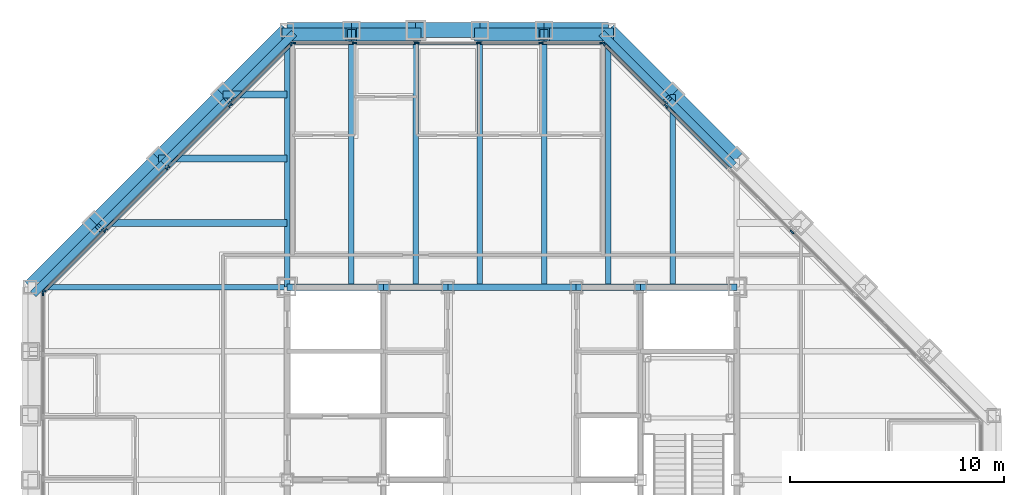
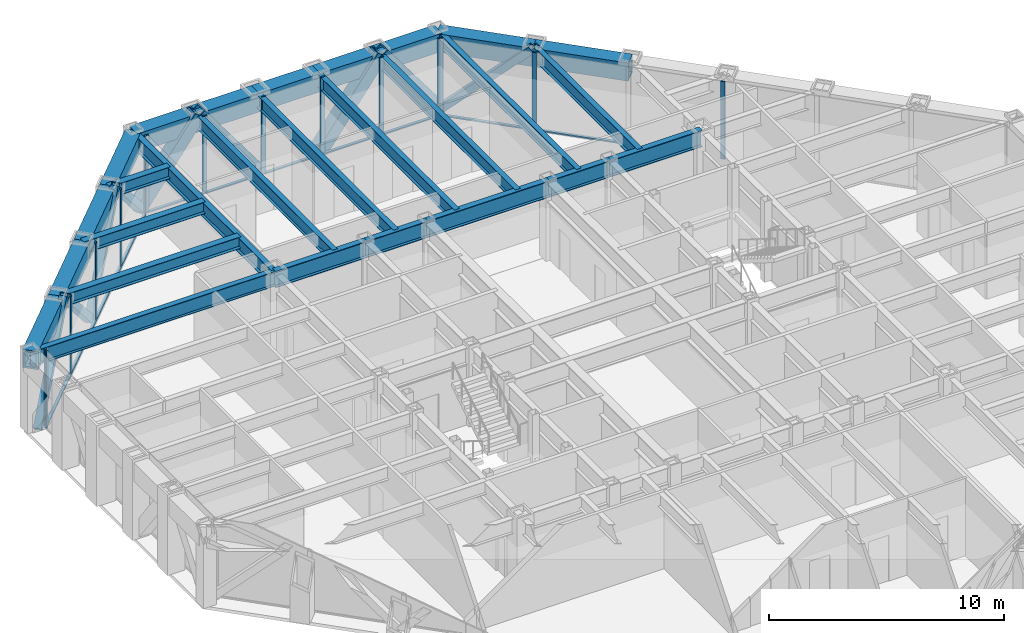
# One storey, part 8 of 16: 36 members, 27 beams, 4 elements without a shape of their own.
"""IFC4 building model written with IfcOpenShell, lengths in metres."""

from ifc_helpers import new_model, si_unit, direction, frame, origin, origin_2d, place, context, subcontext, project, spatial, rectangle, hollow_rectangle, i_section, extrude, material, layer, layer_set, material_profile, profile_set, type_object, element, aggregate, save


model = new_model("IFC4")

# Units and contexts
model_context = context("Model", 3, precision=1e-05, world=origin(), true_north=direction((0.0, 1.0)))
body_context = subcontext(model_context, "Body", "Model", "MODEL_VIEW")
ifc_project = project(units=[si_unit("LENGTHUNIT", "METRE"), si_unit("AREAUNIT", "SQUARE_METRE"), si_unit("VOLUMEUNIT", "CUBIC_METRE"), si_unit("PLANEANGLEUNIT", "RADIAN"), si_unit("MASSUNIT", "GRAM", prefix="KILO")], contexts=[model_context])

# Site, building, storey
site_placement = place(None, origin())
site = spatial("IfcSite", under=ifc_project, at=site_placement, CompositionType="ELEMENT")
building_placement = place(site_placement, origin())
building = spatial("IfcBuilding", under=site, at=building_placement, Name="Chuquiago Exchange Tower", CompositionType="ELEMENT")
storey_placement = place(building_placement, frame((0.0, 0.0, 243.300048828125)))
storey = spatial("IfcBuildingStorey", under=building, at=storey_placement, Name="L54", CompositionType="ELEMENT", Elevation=243.300048828125)

# Beams
ifc_material_1 = material(Name="Steel ASTM A992", Category="steel")
ifc_material_profile_1 = material_profile(ifc_material_1, i_section(OverallWidth=0.25390625, OverallDepth=0.683349609375, WebThickness=0.012451171875, FlangeThickness=0.018798828125, at=origin_2d()), Name="W27X94")
ifc_profile_set_1 = profile_set([ifc_material_profile_1], Name="Steel ASTM A992")
beam_type_1 = type_object("IfcBeamType", Name="B1 W27X94", PredefinedType="BEAM", material=ifc_profile_set_1)
for number, where, z_axis, x_axis, name in (
    (1, (15.0, 33.0, 3.6982421875), (0.0, 1.0, 0.0), (-1.0, 0.0, 0.0), "FB-L55-infill-15_33-15_45-0"),
    (2, (18.0, 33.0, 3.6982421875), (0.0, 1.0, 0.0), (-1.0, 0.0, 0.0), "FB-L55-infill-18_33-18_45-0"),
    (3, (21.0, 33.0, 3.6982421875), (0.0, 1.0, 0.0), (-1.0, 0.0, 0.0), "FB-L55-infill-21_33-21_45-0"),
    (4, (24.0, 33.0, 3.6982421875), (0.0, 1.0, 0.0), (-1.0, 0.0, 0.0), "FB-L55-infill-24_33-24_45-0"),
    (5, (27.0, 33.0, 3.6982421875), (0.0, 1.0, 0.0), (-1.0, 0.0, 0.0), "FB-L55-infill-27_33-27_45-0"),
):
    element("IfcBeam", number, at=place(storey_placement, frame(where, z_axis=z_axis, x_axis=x_axis)), inside=storey, type_object=beam_type_1, Name=name, PredefinedType="BEAM", context=body_context, shape_type="SweptSolid", body=[
        extrude(i_section(OverallWidth=0.25390625, OverallDepth=0.683349609375, WebThickness=0.012451171875, FlangeThickness=0.018798828125, at=origin_2d()), origin(), (0.0, 0.0, 1.0), 12.0),
    ])
beam_1_placement = place(storey_placement, frame((30.0, 33.0, 3.6982421875), z_axis=(0.0, 1.0, 0.0), x_axis=(-1.0, 0.0, 0.0)))
element("IfcBeam", 6, at=beam_1_placement, inside=storey, type_object=beam_type_1, Name="FB-L55-infill-30_33-30_42-0", PredefinedType="BEAM", context=body_context, shape_type="SweptSolid", body=[
    extrude(i_section(OverallWidth=0.25390625, OverallDepth=0.683349609375, WebThickness=0.012451171875, FlangeThickness=0.018798828125, at=origin_2d()), origin(), (0.0, 0.0, 1.0), 9.0),
])
ifc_material_2 = material(Name="Steel ASTM A992", Category="steel")
ifc_material_profile_2 = material_profile(ifc_material_2, i_section(OverallWidth=0.3251953125, OverallDepth=0.612060546875, WebThickness=0.0126953125, FlangeThickness=0.01904296875, at=origin_2d()), Name="W24X104")
ifc_profile_set_2 = profile_set([ifc_material_profile_2], Name="Steel ASTM A992")
beam_type_2 = type_object("IfcBeamType", Name="B2 W24X104", PredefinedType="BEAM", material=ifc_profile_set_2)
beam_2_placement = place(storey_placement, frame((12.0, 36.0, 3.73388671875), z_axis=(-1.0, 0.0, 0.0), x_axis=(0.0, -1.0, 0.0)))
element("IfcBeam", 7, at=beam_2_placement, inside=storey, type_object=beam_type_2, Name="FB-L55-corner-12_36-3_36-0", PredefinedType="BEAM", context=body_context, shape_type="SweptSolid", body=[
    extrude(i_section(OverallWidth=0.3251953125, OverallDepth=0.612060546875, WebThickness=0.0126953125, FlangeThickness=0.01904296875, at=origin_2d()), origin(), (0.0, 0.0, 1.0), 9.0),
])
beam_3_placement = place(storey_placement, frame((12.0, 39.0, 3.73388671875), z_axis=(-1.0, 0.0, 0.0), x_axis=(0.0, -1.0, 0.0)))
element("IfcBeam", 8, at=beam_3_placement, inside=storey, type_object=beam_type_2, Name="FB-L55-corner-12_39-6_39-0", PredefinedType="BEAM", context=body_context, shape_type="SweptSolid", body=[
    extrude(i_section(OverallWidth=0.3251953125, OverallDepth=0.612060546875, WebThickness=0.0126953125, FlangeThickness=0.01904296875, at=origin_2d()), origin(), (0.0, 0.0, 1.0), 6.0),
])
beam_4_placement = place(storey_placement, frame((12.0, 42.0, 3.73388671875), z_axis=(-1.0, 0.0, 0.0), x_axis=(0.0, -1.0, 0.0)))
element("IfcBeam", 9, at=beam_4_placement, inside=storey, type_object=beam_type_2, Name="FB-L55-corner-12_42-9_42-0", PredefinedType="BEAM", context=body_context, shape_type="SweptSolid", body=[
    extrude(i_section(OverallWidth=0.3251953125, OverallDepth=0.612060546875, WebThickness=0.0126953125, FlangeThickness=0.01904296875, at=origin_2d()), origin(), (0.0, 0.0, 1.0), 3.0),
])
ifc_material_3 = material(Name="Steel ASTM A992", Category="steel")
ifc_material_profile_3 = material_profile(ifc_material_3, i_section(OverallWidth=0.2919921875, OverallDepth=0.8583984375, WebThickness=0.01708984375, FlangeThickness=0.031005859375, at=origin_2d()), Name="W33X169")
ifc_profile_set_3 = profile_set([ifc_material_profile_3], Name="Steel ASTM A992")
beam_type_3 = type_object("IfcBeamType", Name="B3 W33X169", PredefinedType="BEAM", material=ifc_profile_set_3)
beam_5_placement = place(storey_placement, frame((12.0, 33.0, 3.610595703125), z_axis=(1.0, 0.0, 0.0), x_axis=(0.0, 1.0, 0.0)))
element("IfcBeam", 10, at=beam_5_placement, inside=storey, type_object=beam_type_3, Name="CB-L55-12_33-16.5_33", PredefinedType="BEAM", context=body_context, shape_type="SweptSolid", body=[
    extrude(i_section(OverallWidth=0.2919921875, OverallDepth=0.8583984375, WebThickness=0.01708984375, FlangeThickness=0.031005859375, at=origin_2d()), origin(), (0.0, 0.0, 1.0), 4.5),
])
beam_6_placement = place(storey_placement, frame((16.5, 33.0, 3.610595703125), z_axis=(1.0, 0.0, 0.0), x_axis=(0.0, 1.0, 0.0)))
element("IfcBeam", 11, at=beam_6_placement, inside=storey, type_object=beam_type_3, Name="CB-L55-16.5_33-19.5_33", PredefinedType="BEAM", context=body_context, shape_type="SweptSolid", body=[
    extrude(i_section(OverallWidth=0.2919921875, OverallDepth=0.8583984375, WebThickness=0.01708984375, FlangeThickness=0.031005859375, at=origin_2d()), origin(), (0.0, 0.0, 1.0), 3.0),
])
beam_7_placement = place(storey_placement, frame((19.5, 33.0, 3.610595703125), z_axis=(1.0, 0.0, 0.0), x_axis=(0.0, 1.0, 0.0)))
element("IfcBeam", 12, at=beam_7_placement, inside=storey, type_object=beam_type_3, Name="CB-L55-19.5_33-25.5_33", PredefinedType="BEAM", context=body_context, shape_type="SweptSolid", body=[
    extrude(i_section(OverallWidth=0.2919921875, OverallDepth=0.8583984375, WebThickness=0.01708984375, FlangeThickness=0.031005859375, at=origin_2d()), origin(), (0.0, 0.0, 1.0), 6.0),
])
beam_8_placement = place(storey_placement, frame((25.5, 33.0, 3.610595703125), z_axis=(1.0, 0.0, 0.0), x_axis=(0.0, 1.0, 0.0)))
element("IfcBeam", 13, at=beam_8_placement, inside=storey, type_object=beam_type_3, Name="CB-L55-25.5_33-28.5_33", PredefinedType="BEAM", context=body_context, shape_type="SweptSolid", body=[
    extrude(i_section(OverallWidth=0.2919921875, OverallDepth=0.8583984375, WebThickness=0.01708984375, FlangeThickness=0.031005859375, at=origin_2d()), origin(), (0.0, 0.0, 1.0), 3.0),
])
beam_9_placement = place(storey_placement, frame((28.5, 33.0, 3.610595703125), z_axis=(1.0, 0.0, 0.0), x_axis=(0.0, 1.0, 0.0)))
element("IfcBeam", 14, at=beam_9_placement, inside=storey, type_object=beam_type_3, Name="CB-L55-28.5_33-33_33", PredefinedType="BEAM", context=body_context, shape_type="SweptSolid", body=[
    extrude(i_section(OverallWidth=0.2919921875, OverallDepth=0.8583984375, WebThickness=0.01708984375, FlangeThickness=0.031005859375, at=origin_2d()), origin(), (0.0, 0.0, 1.0), 4.5),
])

# Curtain wall, members
ifc_material_4 = material(Name="Aluminium curtain wall system", Category="aluminium")
ifc_layer_1 = layer(ifc_material_4, 0.22509765625)
ifc_layer_set_1 = layer_set([ifc_layer_1], Name="CW2 office curtain wall")
curtain_wall_type_1 = type_object("IfcCurtainWallType", Name="CW2 office curtain wall", PredefinedType="NOTDEFINED", material=ifc_layer_set_1)
curtain_wall_1_placement = place(storey_placement, origin())
curtain_wall_1 = element("IfcCurtainWall", 15, at=curtain_wall_1_placement, inside=storey, type_object=curtain_wall_type_1, Name="CW2 curtain wall L54", PredefinedType="NOTDEFINED")
ifc_material_5 = material(Name="Aluminium mullion, pale anodised", Category="aluminium")
ifc_material_profile_4 = material_profile(ifc_material_5, rectangle(XDim=0.06494140625, YDim=0.22509765625, at=origin_2d()), Name="AL 65x225")
ifc_profile_set_4 = profile_set([ifc_material_profile_4], Name="Aluminium mullion, pale anodised")
member_type_1 = type_object("IfcMemberType", Name="CW2-M mullion 65x225", PredefinedType="MULLION", material=ifc_profile_set_4)
member_1_placement = place(storey_placement, frame((26.718994140625, 44.39990234375, 0.0), z_axis=(0.0, 0.0, 1.0), x_axis=(0.0, -1.0, 0.0)))
member_1 = element("IfcMember", 16, at=member_1_placement, type_object=member_type_1, Name="CW2 mullion 1", PredefinedType="MULLION", context=body_context, shape_type="SweptSolid", body=[
    extrude(rectangle(XDim=0.06494140625, YDim=0.22509765625, at=origin_2d()), origin(), (0.0, 0.0, 1.0), 4.0400390625),
])
member_2_placement = place(storey_placement, frame((23.850830078125, 44.39990234375, 0.0), z_axis=(0.0, 0.0, 1.0), x_axis=(0.0, -1.0, 0.0)))
member_2 = element("IfcMember", 17, at=member_2_placement, type_object=member_type_1, Name="CW2 mullion 2", PredefinedType="MULLION", context=body_context, shape_type="SweptSolid", body=[
    extrude(rectangle(XDim=0.06494140625, YDim=0.22509765625, at=origin_2d()), origin(), (0.0, 0.0, 1.0), 4.0400390625),
])
member_3_placement = place(storey_placement, frame((20.9501953125, 44.39990234375, 0.0), z_axis=(0.0, 0.0, 1.0), x_axis=(0.0, -1.0, 0.0)))
member_3 = element("IfcMember", 18, at=member_3_placement, type_object=member_type_1, Name="CW2 mullion 3", PredefinedType="MULLION", context=body_context, shape_type="SweptSolid", body=[
    extrude(rectangle(XDim=0.06494140625, YDim=0.22509765625, at=origin_2d()), origin(), (0.0, 0.0, 1.0), 4.0400390625),
])
member_4_placement = place(storey_placement, frame((18.0498046875, 44.39990234375, 0.0), z_axis=(0.0, 0.0, 1.0), x_axis=(0.0, -1.0, 0.0)))
member_4 = element("IfcMember", 19, at=member_4_placement, type_object=member_type_1, Name="CW2 mullion 4", PredefinedType="MULLION", context=body_context, shape_type="SweptSolid", body=[
    extrude(rectangle(XDim=0.06494140625, YDim=0.22509765625, at=origin_2d()), origin(), (0.0, 0.0, 1.0), 4.0400390625),
])
member_5_placement = place(storey_placement, frame((15.149169921875, 44.39990234375, 0.0), z_axis=(0.0, 0.0, 1.0), x_axis=(0.0, -1.0, 0.0)))
member_5 = element("IfcMember", 20, at=member_5_placement, type_object=member_type_1, Name="CW2 mullion 5", PredefinedType="MULLION", context=body_context, shape_type="SweptSolid", body=[
    extrude(rectangle(XDim=0.06494140625, YDim=0.22509765625, at=origin_2d()), origin(), (0.0, 0.0, 1.0), 4.0400390625),
])
member_6_placement = place(storey_placement, frame((12.281005859375, 44.39990234375, 0.0), z_axis=(0.0, 0.0, 1.0), x_axis=(0.0, -1.0, 0.0)))
member_6 = element("IfcMember", 21, at=member_6_placement, type_object=member_type_1, Name="CW2 mullion 6", PredefinedType="MULLION", context=body_context, shape_type="SweptSolid", body=[
    extrude(rectangle(XDim=0.06494140625, YDim=0.22509765625, at=origin_2d()), origin(), (0.0, 0.0, 1.0), 4.0400390625),
])

# Curtain wall, member
curtain_wall_2_placement = place(storey_placement, origin())
curtain_wall_2 = element("IfcCurtainWall", 22, at=curtain_wall_2_placement, inside=storey, type_object=curtain_wall_type_1, Name="CW2 curtain wall L54", PredefinedType="NOTDEFINED")
member_7_placement = place(storey_placement, frame((0.60009765625, 32.718994140625, 0.0), z_axis=(0.0, 0.0, 1.0), x_axis=(1.0, 0.0, 0.0)))
member_7 = element("IfcMember", 23, at=member_7_placement, type_object=member_type_1, Name="CW2 mullion 1", PredefinedType="MULLION", context=body_context, shape_type="SweptSolid", body=[
    extrude(rectangle(XDim=0.06494140625, YDim=0.22509765625, at=origin_2d()), origin(), (0.0, 0.0, 1.0), 4.0400390625),
])
aggregate(curtain_wall_2, [member_7])

# Member
ifc_material_6 = material(Name="Aluminium transom, pale anodised", Category="aluminium")
ifc_material_profile_5 = material_profile(ifc_material_6, rectangle(XDim=0.139892578125, YDim=0.06494140625, at=origin_2d()), Name="AL 140x65")
ifc_profile_set_5 = profile_set([ifc_material_profile_5], Name="Aluminium transom, pale anodised")
member_type_2 = type_object("IfcMemberType", Name="CW2-T transom 65x140", PredefinedType="MULLION", material=ifc_profile_set_5)
member_8_placement = place(storey_placement, frame((26.6865234375, 44.39990234375, 0.032470703125), z_axis=(-1.0, 0.0, 0.0), x_axis=(0.0, -1.0, 0.0)))
member_8 = element("IfcMember", 24, at=member_8_placement, type_object=member_type_2, Name="CW2 transom 1.1", PredefinedType="MULLION", context=body_context, shape_type="SweptSolid", body=[
    extrude(rectangle(XDim=0.139892578125, YDim=0.06494140625, at=origin_2d()), origin(), (0.0, 0.0, 1.0), 2.80322265625),
])

member_9_placement = place(storey_placement, frame((23.818359375, 44.39990234375, 0.032470703125), z_axis=(-1.0, 0.0, 0.0), x_axis=(0.0, -1.0, 0.0)))
member_9 = element("IfcMember", 25, at=member_9_placement, type_object=member_type_2, Name="CW2 transom 2.1", PredefinedType="MULLION", context=body_context, shape_type="SweptSolid", body=[
    extrude(rectangle(XDim=0.139892578125, YDim=0.06494140625, at=origin_2d()), origin(), (0.0, 0.0, 1.0), 2.83544921875),
])

member_10_placement = place(storey_placement, frame((20.917724609375, 44.39990234375, 0.032470703125), z_axis=(-1.0, 0.0, 0.0), x_axis=(0.0, -1.0, 0.0)))
member_10 = element("IfcMember", 26, at=member_10_placement, type_object=member_type_2, Name="CW2 transom 3.1", PredefinedType="MULLION", context=body_context, shape_type="SweptSolid", body=[
    extrude(rectangle(XDim=0.139892578125, YDim=0.06494140625, at=origin_2d()), origin(), (0.0, 0.0, 1.0), 2.83544921875),
])

member_11_placement = place(storey_placement, frame((18.01708984375, 44.39990234375, 0.032470703125), z_axis=(-1.0, 0.0, 0.0), x_axis=(0.0, -1.0, 0.0)))
member_11 = element("IfcMember", 27, at=member_11_placement, type_object=member_type_2, Name="CW2 transom 4.1", PredefinedType="MULLION", context=body_context, shape_type="SweptSolid", body=[
    extrude(rectangle(XDim=0.139892578125, YDim=0.06494140625, at=origin_2d()), origin(), (0.0, 0.0, 1.0), 2.83544921875),
])

member_12_placement = place(storey_placement, frame((15.11669921875, 44.39990234375, 0.032470703125), z_axis=(-1.0, 0.0, 0.0), x_axis=(0.0, -1.0, 0.0)))
member_12 = element("IfcMember", 28, at=member_12_placement, type_object=member_type_2, Name="CW2 transom 5.1", PredefinedType="MULLION", context=body_context, shape_type="SweptSolid", body=[
    extrude(rectangle(XDim=0.139892578125, YDim=0.06494140625, at=origin_2d()), origin(), (0.0, 0.0, 1.0), 2.80322265625),
])

aggregate(curtain_wall_1, [member_1, member_2, member_3, member_4, member_5, member_6, member_8, member_9, member_10, member_11, member_12])

# Curtain wall, members
ifc_material_7 = material(Name="Aluminium curtain wall system", Category="aluminium")
ifc_layer_2 = layer(ifc_material_7, 0.199951171875)
ifc_layer_set_2 = layer_set([ifc_layer_2], Name="CW3 facet curtain wall")
curtain_wall_type_2 = type_object("IfcCurtainWallType", Name="CW3 facet curtain wall", PredefinedType="NOTDEFINED", material=ifc_layer_set_2)
curtain_wall_3_placement = place(storey_placement, origin())
curtain_wall_3 = element("IfcCurtainWall", 29, at=curtain_wall_3_placement, inside=storey, type_object=curtain_wall_type_2, Name="CW3 curtain wall L54", PredefinedType="NOTDEFINED")
ifc_material_8 = material(Name="Aluminium mullion, pale anodised", Category="aluminium")
ifc_material_profile_6 = material_profile(ifc_material_8, rectangle(XDim=0.06494140625, YDim=0.199951171875, at=origin_2d()), Name="AL 65x200")
ifc_profile_set_6 = profile_set([ifc_material_profile_6], Name="Aluminium mullion, pale anodised")
member_type_3 = type_object("IfcMemberType", Name="CW3-M mullion 65x200", PredefinedType="MULLION", material=ifc_profile_set_6)
member_13_placement = place(storey_placement, frame((35.57568359375, 35.57568359375, 0.0), z_axis=(0.0, 0.0, 1.0), x_axis=(-0.707106781187, -0.707106781187, 0.0)))
member_13 = element("IfcMember", 30, at=member_13_placement, type_object=member_type_3, Name="CW3 mullion 4", PredefinedType="MULLION", context=body_context, shape_type="SweptSolid", body=[
    extrude(rectangle(XDim=0.06494140625, YDim=0.199951171875, at=origin_2d()), origin(), (0.0, 0.0, 1.0), 4.0400390625),
])
member_14_placement = place(storey_placement, frame((29.69287109375, 41.45849609375, 0.0), z_axis=(0.0, 0.0, 1.0), x_axis=(-0.707106781187, -0.707106781187, 0.0)))
member_14 = element("IfcMember", 31, at=member_14_placement, type_object=member_type_3, Name="CW3 mullion 6", PredefinedType="MULLION", context=body_context, shape_type="SweptSolid", body=[
    extrude(rectangle(XDim=0.06494140625, YDim=0.199951171875, at=origin_2d()), origin(), (0.0, 0.0, 1.0), 4.0400390625),
])
member_15_placement = place(storey_placement, frame((26.7744140625, 44.376953125, 0.0), z_axis=(0.0, 0.0, 1.0), x_axis=(-0.707106781187, -0.707106781187, 0.0)))
member_15 = element("IfcMember", 32, at=member_15_placement, type_object=member_type_3, Name="CW3 mullion 7", PredefinedType="MULLION", context=body_context, shape_type="SweptSolid", body=[
    extrude(rectangle(XDim=0.06494140625, YDim=0.199951171875, at=origin_2d()), origin(), (0.0, 0.0, 1.0), 4.0400390625),
])

curtain_wall_4_placement = place(storey_placement, origin())
curtain_wall_4 = element("IfcCurtainWall", 33, at=curtain_wall_4_placement, inside=storey, type_object=curtain_wall_type_2, Name="CW3 curtain wall L54", PredefinedType="NOTDEFINED")
member_16_placement = place(storey_placement, frame((12.2255859375, 44.376953125, 0.0), z_axis=(0.0, 0.0, 1.0), x_axis=(0.707106781187, -0.707106781187, 0.0)))
member_16 = element("IfcMember", 34, at=member_16_placement, type_object=member_type_3, Name="CW3 mullion 1", PredefinedType="MULLION", context=body_context, shape_type="SweptSolid", body=[
    extrude(rectangle(XDim=0.06494140625, YDim=0.199951171875, at=origin_2d()), origin(), (0.0, 0.0, 1.0), 4.0400390625),
])
member_17_placement = place(storey_placement, frame((9.33642578125, 41.48779296875, 0.0), z_axis=(0.0, 0.0, 1.0), x_axis=(0.707106781187, -0.707106781187, 0.0)))
member_17 = element("IfcMember", 35, at=member_17_placement, type_object=member_type_3, Name="CW3 mullion 2", PredefinedType="MULLION", context=body_context, shape_type="SweptSolid", body=[
    extrude(rectangle(XDim=0.06494140625, YDim=0.199951171875, at=origin_2d()), origin(), (0.0, 0.0, 1.0), 4.0400390625),
])
member_18_placement = place(storey_placement, frame((6.42431640625, 38.57568359375, 0.0), z_axis=(0.0, 0.0, 1.0), x_axis=(0.707106781187, -0.707106781187, 0.0)))
member_18 = element("IfcMember", 36, at=member_18_placement, type_object=member_type_3, Name="CW3 mullion 3", PredefinedType="MULLION", context=body_context, shape_type="SweptSolid", body=[
    extrude(rectangle(XDim=0.06494140625, YDim=0.199951171875, at=origin_2d()), origin(), (0.0, 0.0, 1.0), 4.0400390625),
])
member_19_placement = place(storey_placement, frame((3.51220703125, 35.66357421875, 0.0), z_axis=(0.0, 0.0, 1.0), x_axis=(0.707106781187, -0.707106781187, 0.0)))
member_19 = element("IfcMember", 37, at=member_19_placement, type_object=member_type_3, Name="CW3 mullion 4", PredefinedType="MULLION", context=body_context, shape_type="SweptSolid", body=[
    extrude(rectangle(XDim=0.06494140625, YDim=0.199951171875, at=origin_2d()), origin(), (0.0, 0.0, 1.0), 4.0400390625),
])
member_20_placement = place(storey_placement, frame((0.623046875, 32.7744140625, 0.0), z_axis=(0.0, 0.0, 1.0), x_axis=(0.707106781187, -0.707106781187, 0.0)))
member_20 = element("IfcMember", 38, at=member_20_placement, type_object=member_type_3, Name="CW3 mullion 5", PredefinedType="MULLION", context=body_context, shape_type="SweptSolid", body=[
    extrude(rectangle(XDim=0.06494140625, YDim=0.199951171875, at=origin_2d()), origin(), (0.0, 0.0, 1.0), 4.0400390625),
])

# Member
ifc_material_9 = material(Name="Aluminium transom, pale anodised", Category="aluminium")
ifc_material_profile_7 = material_profile(ifc_material_9, rectangle(XDim=0.139892578125, YDim=0.06494140625, at=origin_2d()), Name="AL 140x65")
ifc_profile_set_7 = profile_set([ifc_material_profile_7], Name="Aluminium transom, pale anodised")
member_type_4 = type_object("IfcMemberType", Name="CW3-T transom 65x140", PredefinedType="MULLION", material=ifc_profile_set_7)
member_21_placement = place(storey_placement, frame((32.611328125, 38.5400390625, 0.032470703125), z_axis=(-0.707106781187, 0.707106781187, 0.0), x_axis=(-0.707106781187, -0.707106781187, 0.0)))
member_21 = element("IfcMember", 39, at=member_21_placement, type_object=member_type_4, Name="CW3 transom 5.1", PredefinedType="MULLION", context=body_context, shape_type="SweptSolid", body=[
    extrude(rectangle(XDim=0.139892578125, YDim=0.06494140625, at=origin_2d()), origin(), (0.0, 0.0, 1.0), 4.094970703125),
])

member_22_placement = place(storey_placement, frame((29.669921875, 41.4814453125, 0.032470703125), z_axis=(-0.707106781187, 0.707106781187, 0.0), x_axis=(-0.707106781187, -0.707106781187, 0.0)))
member_22 = element("IfcMember", 40, at=member_22_placement, type_object=member_type_4, Name="CW3 transom 6.1", PredefinedType="MULLION", context=body_context, shape_type="SweptSolid", body=[
    extrude(rectangle(XDim=0.139892578125, YDim=0.06494140625, at=origin_2d()), origin(), (0.0, 0.0, 1.0), 4.0625),
])

aggregate(curtain_wall_3, [member_13, member_14, member_15, member_21, member_22])

member_23_placement = place(storey_placement, frame((12.20263671875, 44.35400390625, 0.032470703125), z_axis=(-0.707106781187, -0.707106781187, 0.0), x_axis=(0.707106781187, -0.707106781187, 0.0)))
member_23 = element("IfcMember", 41, at=member_23_placement, type_object=member_type_4, Name="CW3 transom 1.1", PredefinedType="MULLION", context=body_context, shape_type="SweptSolid", body=[
    extrude(rectangle(XDim=0.139892578125, YDim=0.06494140625, at=origin_2d()), origin(), (0.0, 0.0, 1.0), 4.02099609375),
])

member_24_placement = place(storey_placement, frame((9.3134765625, 41.46484375, 0.032470703125), z_axis=(-0.707106781187, -0.707106781187, 0.0), x_axis=(0.707106781187, -0.707106781187, 0.0)))
member_24 = element("IfcMember", 42, at=member_24_placement, type_object=member_type_4, Name="CW3 transom 2.1", PredefinedType="MULLION", context=body_context, shape_type="SweptSolid", body=[
    extrude(rectangle(XDim=0.139892578125, YDim=0.06494140625, at=origin_2d()), origin(), (0.0, 0.0, 1.0), 4.053466796875),
])

member_25_placement = place(storey_placement, frame((6.4013671875, 38.552734375, 0.032470703125), z_axis=(-0.707106781187, -0.707106781187, 0.0), x_axis=(0.707106781187, -0.707106781187, 0.0)))
member_25 = element("IfcMember", 43, at=member_25_placement, type_object=member_type_4, Name="CW3 transom 3.1", PredefinedType="MULLION", context=body_context, shape_type="SweptSolid", body=[
    extrude(rectangle(XDim=0.139892578125, YDim=0.06494140625, at=origin_2d()), origin(), (0.0, 0.0, 1.0), 4.053466796875),
])

member_26_placement = place(storey_placement, frame((3.4892578125, 35.640625, 0.032470703125), z_axis=(-0.707106781187, -0.707106781187, 0.0), x_axis=(0.707106781187, -0.707106781187, 0.0)))
member_26 = element("IfcMember", 44, at=member_26_placement, type_object=member_type_4, Name="CW3 transom 4.1", PredefinedType="MULLION", context=body_context, shape_type="SweptSolid", body=[
    extrude(rectangle(XDim=0.139892578125, YDim=0.06494140625, at=origin_2d()), origin(), (0.0, 0.0, 1.0), 4.02099609375),
])

aggregate(curtain_wall_4, [member_16, member_17, member_18, member_19, member_20, member_23, member_24, member_25, member_26])

# Beams
ifc_material_10 = material(Name="Steel ASTM A992", Category="steel")
ifc_material_profile_8 = material_profile(ifc_material_10, i_section(OverallWidth=0.2666015625, OverallDepth=0.76953125, WebThickness=0.015625, FlangeThickness=0.025390625, at=origin_2d()), Name="W30X132")
ifc_profile_set_8 = profile_set([ifc_material_profile_8], Name="Steel ASTM A992")
beam_type_4 = type_object("IfcBeamType", Name="G1 W30X132", PredefinedType="BEAM", material=ifc_profile_set_8)
for number, where, z_axis, x_axis, name in (
    (45, (12.0, 33.0, 3.655029296875), (0.0, 1.0, 0.0), (-1.0, 0.0, 0.0), "FB-L55-girder-12_33-12_45-0"),
    (46, (12.0, 33.0, 3.655029296875), (-1.0, 0.0, 0.0), (0.0, -1.0, 0.0), "FB-L55-girder-12_33--0_33-0"),
):
    element("IfcBeam", number, at=place(storey_placement, frame(where, z_axis=z_axis, x_axis=x_axis)), inside=storey, type_object=beam_type_4, Name=name, PredefinedType="BEAM", context=body_context, shape_type="SweptSolid", body=[
        extrude(i_section(OverallWidth=0.2666015625, OverallDepth=0.76953125, WebThickness=0.015625, FlangeThickness=0.025390625, at=origin_2d()), origin(), (0.0, 0.0, 1.0), 12.0),
    ])

# Members
ifc_material_11 = material(Name="Steel ASTM A500 Grade C", Category="steel")
ifc_material_profile_9 = material_profile(ifc_material_11, hollow_rectangle(XDim=0.355712890625, YDim=0.355712890625, WallThickness=0.0146484375, at=origin_2d()), Name="HSS14X14X5/8")
ifc_profile_set_9 = profile_set([ifc_material_profile_9], Name="Steel ASTM A500 Grade C")
member_type_5 = type_object("IfcMemberType", Name="LB2 HSS14X14X5/8", PredefinedType="BRACE", material=ifc_profile_set_9)
for number, where, z_axis, x_axis, name in (
    (47, (32.7685546875, 38.7685546875, 0.0), (-0.512077265487, 0.512077265487, 0.689604051861), (-0.707106781187, -0.707106781187, 0.0), "LB-L54-33_39-30_42"),
    (48, (26.7685546875, 44.7685546875, 0.0), (0.512077265487, -0.512077265487, 0.689604051861), (0.707106781187, 0.707106781187, 0.0), "LB-L54-30_42-27_45"),
    (49, (12.2314453125, 44.7685546875, 0.0), (-0.512077265487, -0.512077265487, 0.689604051861), (0.707106781187, -0.707106781187, 0.0), "LB-L54-12_45-9_42"),
    (50, (6.2314453125, 38.7685546875, 0.0), (0.512077265487, 0.512077265487, 0.689604051861), (-0.707106781187, 0.707106781187, 0.0), "LB-L54-9_42-6_39"),
    (51, (6.2314453125, 38.7685546875, 0.0), (-0.512077265487, -0.512077265487, 0.689604051861), (0.707106781187, -0.707106781187, 0.0), "LB-L54-6_39-3_36"),
    (52, (0.2314453125, 32.7685546875, 0.0), (0.512077265487, 0.512077265487, 0.689604051861), (-0.707106781187, 0.707106781187, 0.0), "LB-L54-3_36-0_33"),
):
    element("IfcMember", number, at=place(storey_placement, frame(where, z_axis=z_axis, x_axis=x_axis)), inside=storey, type_object=member_type_5, Name=name, PredefinedType="BRACE", context=body_context, shape_type="SweptSolid", body=[
        extrude(hollow_rectangle(XDim=0.355712890625, YDim=0.355712890625, WallThickness=0.0146484375, at=origin_2d()), origin(), (0.0, 0.0, 1.0), 5.8583984375),
    ])
ifc_material_12 = material(Name="Steel ASTM A572 Grade 50", Category="steel")
ifc_material_profile_10 = material_profile(ifc_material_12, hollow_rectangle(XDim=0.60009765625, YDim=0.60009765625, WallThickness=0.06005859375, at=origin_2d()), Name="BOX600X600X60")
ifc_profile_set_10 = profile_set([ifc_material_profile_10], Name="Steel ASTM A572 Grade 50")
member_type_6 = type_object("IfcMemberType", Name="MB3 BOX600X600X60", PredefinedType="BRACE", material=ifc_profile_set_10)
for number, where, z_axis, x_axis, name in (
    (53, (27.0, 44.794921875, 0.0), (-0.596173923302, 0.0, 0.802855312728), (0.0, -1.0, 0.0), "Mega diagonal L54 N face"),
    (54, (21.0, 44.794921875, 0.0), (0.596173923302, 0.0, 0.802855312728), (0.0, 1.0, 0.0), "Mega diagonal L54 N face"),
    (55, (18.0, 44.794921875, 0.0), (-0.596173923302, 0.0, 0.802855312728), (0.0, -1.0, 0.0), "Mega diagonal L54 N face"),
    (56, (12.0, 44.794921875, 0.0), (0.596173923302, 0.0, 0.802855312728), (0.0, 1.0, 0.0), "Mega diagonal L54 N face"),
):
    element("IfcMember", number, at=place(storey_placement, frame(where, z_axis=z_axis, x_axis=x_axis)), inside=storey, type_object=member_type_6, Name=name, PredefinedType="BRACE", context=body_context, shape_type="SweptSolid", body=[
        extrude(hollow_rectangle(XDim=0.60009765625, YDim=0.60009765625, WallThickness=0.06005859375, at=origin_2d()), origin(), (0.0, 0.0, 1.0), 5.031982421875),
    ])

# Beams
ifc_material_13 = material(Name="Steel ASTM A572 Grade 50", Category="steel")
ifc_material_profile_11 = material_profile(ifc_material_13, hollow_rectangle(XDim=0.699951171875, YDim=0.949951171875, WallThickness=0.10009765625, at=origin_2d()), Name="BOX950X700X100")
ifc_profile_set_11 = profile_set([ifc_material_profile_11], Name="Steel ASTM A572 Grade 50")
beam_type_5 = type_object("IfcBeamType", Name="SP5 BOX950X700X100", PredefinedType="SPANDREL", material=ifc_profile_set_11)
for number, where, z_axis, x_axis, name in (
    (57, (33.0, 39.0, 3.56494140625), (-0.707106781187, 0.707106781187, 0.0), (-0.707106781187, -0.707106781187, 0.0), "SPB-L55-33_39-30_42"),
    (58, (30.0, 42.0, 3.56494140625), (-0.707106781187, 0.707106781187, 0.0), (-0.707106781187, -0.707106781187, 0.0), "SPB-L55-30_42-27_45"),
):
    element("IfcBeam", number, at=place(storey_placement, frame(where, z_axis=z_axis, x_axis=x_axis)), inside=storey, type_object=beam_type_5, Name=name, PredefinedType="SPANDREL", context=body_context, shape_type="SweptSolid", body=[
        extrude(hollow_rectangle(XDim=0.699951171875, YDim=0.949951171875, WallThickness=0.10009765625, at=origin_2d()), origin(), (0.0, 0.0, 1.0), 4.24267578125),
    ])
for number, where, z_axis, x_axis, name in (
    (59, (27.0, 45.0, 3.56494140625), (-1.0, 0.0, 0.0), (0.0, -1.0, 0.0), "SPB-L55-27_45-24_45"),
    (60, (24.0, 45.0, 3.56494140625), (-1.0, 0.0, 0.0), (0.0, -1.0, 0.0), "SPB-L55-24_45-21_45"),
    (61, (21.0, 45.0, 3.56494140625), (-1.0, 0.0, 0.0), (0.0, -1.0, 0.0), "SPB-L55-21_45-18_45"),
    (62, (18.0, 45.0, 3.56494140625), (-1.0, 0.0, 0.0), (0.0, -1.0, 0.0), "SPB-L55-18_45-15_45"),
    (63, (15.0, 45.0, 3.56494140625), (-1.0, 0.0, 0.0), (0.0, -1.0, 0.0), "SPB-L55-15_45-12_45"),
):
    element("IfcBeam", number, at=place(storey_placement, frame(where, z_axis=z_axis, x_axis=x_axis)), inside=storey, type_object=beam_type_5, Name=name, PredefinedType="SPANDREL", context=body_context, shape_type="SweptSolid", body=[
        extrude(hollow_rectangle(XDim=0.699951171875, YDim=0.949951171875, WallThickness=0.10009765625, at=origin_2d()), origin(), (0.0, 0.0, 1.0), 3.0),
    ])
for number, where, z_axis, x_axis, name in (
    (64, (12.0, 45.0, 3.56494140625), (-0.707106781187, -0.707106781187, 0.0), (0.707106781187, -0.707106781187, 0.0), "SPB-L55-12_45-9_42"),
    (65, (9.0, 42.0, 3.56494140625), (-0.707106781187, -0.707106781187, 0.0), (0.707106781187, -0.707106781187, 0.0), "SPB-L55-9_42-6_39"),
    (66, (6.0, 39.0, 3.56494140625), (-0.707106781187, -0.707106781187, 0.0), (0.707106781187, -0.707106781187, 0.0), "SPB-L55-6_39-3_36"),
    (67, (3.0, 36.0, 3.56494140625), (-0.707106781187, -0.707106781187, 0.0), (0.707106781187, -0.707106781187, 0.0), "SPB-L55-3_36-0_33"),
):
    element("IfcBeam", number, at=place(storey_placement, frame(where, z_axis=z_axis, x_axis=x_axis)), inside=storey, type_object=beam_type_5, Name=name, PredefinedType="SPANDREL", context=body_context, shape_type="SweptSolid", body=[
        extrude(hollow_rectangle(XDim=0.699951171875, YDim=0.949951171875, WallThickness=0.10009765625, at=origin_2d()), origin(), (0.0, 0.0, 1.0), 4.24267578125),
    ])

save(model, "model.ifc")
